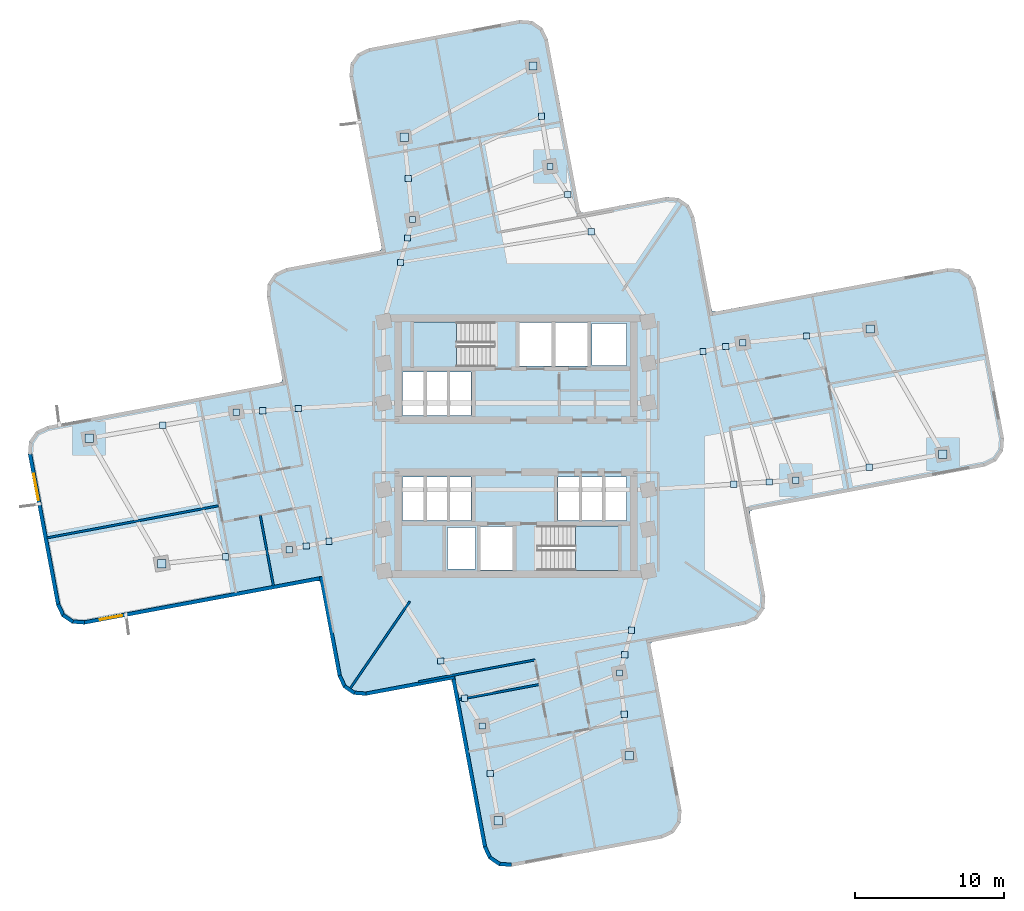
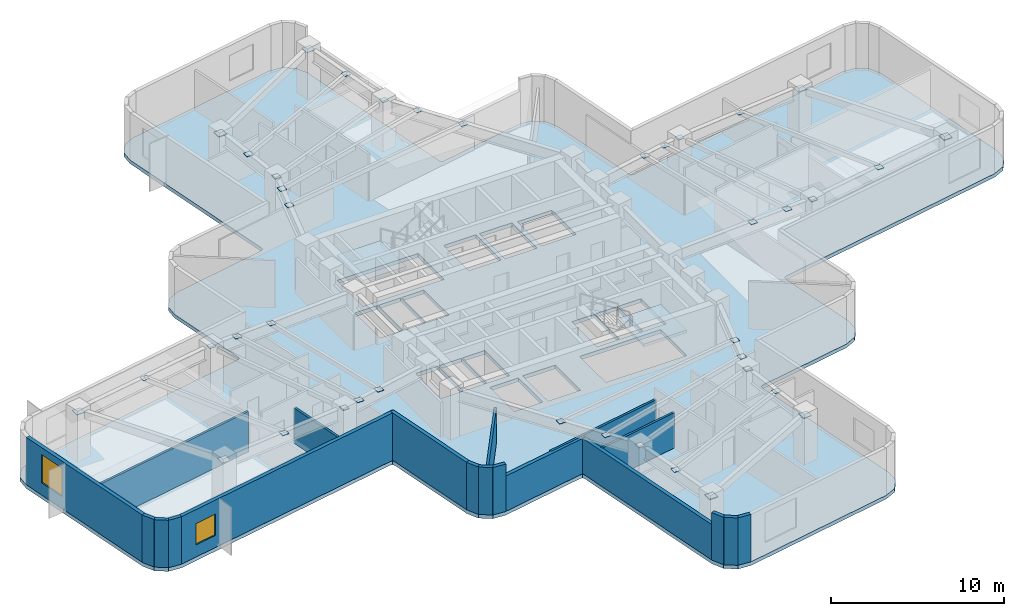
# One storey, part 2 of 9: 40 plates, 19 walls, 3 slabs, 2 windows, 2 openings, 2 elements without a shape of their own.
"""IFC4 building model written with IfcOpenShell, lengths in metres."""

import ifcopenshell
import ifcopenshell.guid

model = None  # the IFC model being written
_history = None  # IfcOwnerHistory: only IFC2X3 demands one
_inside = {}  # id of a spatial element -> (the spatial element, [elements in it])
_under = {}  # id of a project, library or spatial element -> (it, [spatial elements below it])
_declared = {}  # id of a project -> (the project, [libraries it declares])
_typed = {}  # id of a type object -> (the type object, [elements of that type])
_made_of = {}  # id of a material, layer set ... -> (it, [elements and type objects made of it])


def new_model(schema):
    """Start an empty IFC model of exactly this schema.

    Asked for "IFC4X3", IfcOpenShell would pick the latest addendum, in which some entities
    have other attributes; the version numbers below select the first issue.
    IFC2X3 requires an IfcOwnerHistory on every rooted entity: one is made here for all.
    """
    global model, _history
    if schema == "IFC4X3":
        model = ifcopenshell.file(schema_version=(4, 3, 0, 0))
    else:
        model = ifcopenshell.file(schema=schema)
    _inside.clear()
    _under.clear()
    _declared.clear()
    _typed.clear()
    _made_of.clear()
    _history = None
    if model.schema == "IFC2X3":
        org = make("IfcOrganization", Name="unknown")
        user = make(
            "IfcPersonAndOrganization",
            ThePerson=make("IfcPerson", FamilyName="unknown"),
            TheOrganization=org,
        )
        app = make(
            "IfcApplication",
            ApplicationDeveloper=org,
            Version="unknown",
            ApplicationFullName="unknown",
            ApplicationIdentifier="unknown",
        )
        _history = make(
            "IfcOwnerHistory",
            OwningUser=user,
            OwningApplication=app,
            ChangeAction="ADDED",
            CreationDate=0,
        )
    return model


def make(cls, **values):
    """One entity of the class cls with the attributes given. An attribute that is None is left unset."""
    return model.create_entity(
        cls, **{name: value for name, value in values.items() if value is not None}
    )


def rooted(cls, **values):
    """An entity with a GlobalId (a new one), such as an element, a storey or a relation."""
    return make(cls, GlobalId=ifcopenshell.guid.new(), OwnerHistory=_history, **values)


def si_unit(unit_type, name, prefix=None):
    """IfcSIUnit, for example si_unit("LENGTHUNIT", "METRE", prefix="MILLI")."""
    return make("IfcSIUnit", UnitType=unit_type, Prefix=prefix, Name=name)


def assignment(units):
    """IfcUnitAssignment: the units of a project."""
    return None if units is None else make("IfcUnitAssignment", Units=units)


def point(xyz):
    """IfcCartesianPoint."""
    return None if xyz is None else make("IfcCartesianPoint", Coordinates=xyz)


def direction(xyz):
    """IfcDirection."""
    return None if xyz is None else make("IfcDirection", DirectionRatios=xyz)


def frame(location, z_axis=None, x_axis=None):
    """IfcAxis2Placement3D, a coordinate frame: its origin and axes. An axis left out is left unset."""
    return make(
        "IfcAxis2Placement3D",
        Location=point(location),
        Axis=direction(z_axis),
        RefDirection=direction(x_axis),
    )


def frame_2d(location, x_axis=None):
    """IfcAxis2Placement2D, a coordinate frame in the plane: its origin and x axis."""
    return make(
        "IfcAxis2Placement2D", Location=point(location), RefDirection=direction(x_axis)
    )


def origin():
    """The frame at (0, 0, 0) with its axes left unset."""
    return frame((0.0, 0.0, 0.0))


def origin_2d():
    """The frame at (0, 0) in the plane with its x axis left unset."""
    return frame_2d((0.0, 0.0))


def place(relative_to, where):
    """IfcLocalPlacement: puts the frame where relative to a parent placement (None: the world)."""
    return make(
        "IfcLocalPlacement", PlacementRelTo=relative_to, RelativePlacement=where
    )


def context(
    kind, dimensions, precision=None, world=None, true_north=None, identifier=None
):
    """IfcGeometricRepresentationContext, for example the 3D "Model" context."""
    return make(
        "IfcGeometricRepresentationContext",
        ContextIdentifier=identifier,
        ContextType=kind,
        CoordinateSpaceDimension=dimensions,
        Precision=precision,
        WorldCoordinateSystem=world,
        TrueNorth=true_north,
    )


def subcontext(parent, identifier, kind, view, scale=None):
    """IfcGeometricRepresentationSubContext, for example "Body" below "Model"."""
    return make(
        "IfcGeometricRepresentationSubContext",
        ContextIdentifier=identifier,
        ContextType=kind,
        ParentContext=parent,
        TargetScale=scale,
        TargetView=view,
    )


def project(units=None, contexts=None):
    """IfcProject with its units and contexts."""
    return rooted(
        "IfcProject",
        Name="project",
        RepresentationContexts=contexts,
        UnitsInContext=assignment(units),
    )


def spatial(cls, under=None, at=None, **own):
    """A site, building, storey or space (cls), placed at a placement, below another one or the project."""
    s = rooted(cls, ObjectPlacement=at, **own)
    if under is not None:
        _under.setdefault(under.id(), (under, []))[1].append(s)
    return s


def polyline(points):
    """IfcPolyline through the points."""
    return make("IfcPolyline", Points=[point(p) for p in points])


def profile(cls, at=None, kind="AREA", **sizes):
    """A parametric profile (cls). Its sizes go by their IFC names, for example OverallWidth=200.0."""
    return make(cls, ProfileType=kind, Position=at, **sizes)


def rectangle(**sizes):
    """IfcRectangleProfileDef."""
    return profile("IfcRectangleProfileDef", **sizes)


def outline(outer, holes=None, kind="AREA"):
    """IfcArbitraryClosedProfileDef: a profile drawn as a closed curve; with holes, ...WithVoids."""
    if holes is None:
        return make("IfcArbitraryClosedProfileDef", ProfileType=kind, OuterCurve=outer)
    return make(
        "IfcArbitraryProfileDefWithVoids",
        ProfileType=kind,
        OuterCurve=outer,
        InnerCurves=holes,
    )


def extrude(swept, where, along, depth):
    """IfcExtrudedAreaSolid: the profile swept, set in the frame where, extruded along a direction by depth."""
    return make(
        "IfcExtrudedAreaSolid",
        SweptArea=swept,
        Position=where,
        ExtrudedDirection=direction(along),
        Depth=depth,
    )


def shape(context_of_items, identifier, shape_type, items):
    """IfcShapeRepresentation: the items that make up one representation, for example the "Body"."""
    return make(
        "IfcShapeRepresentation",
        ContextOfItems=context_of_items,
        RepresentationIdentifier=identifier,
        RepresentationType=shape_type,
        Items=items,
    )


def material(Name=None, Category=None):
    """IfcMaterial."""
    return make("IfcMaterial", Name=Name, Category=Category)


def layer(
    of_material, thickness, ventilated=None, Name=None, Category=None, Priority=None
):
    """IfcMaterialLayer: one layer of a wall or slab, of a material (None: an air gap)."""
    return make(
        "IfcMaterialLayer",
        Material=of_material,
        LayerThickness=thickness,
        IsVentilated=ventilated,
        Name=Name,
        Category=Category,
        Priority=Priority,
    )


def layer_set(layers, Name=None):
    """IfcMaterialLayerSet."""
    return make("IfcMaterialLayerSet", MaterialLayers=layers, LayerSetName=Name)


def made_of(thing, what):
    """Note that an element or type object is made of a material, layer set ...; save() writes the relation."""
    if what is not None:
        _made_of.setdefault(what.id(), (what, []))[1].append(thing)
    return thing


def type_object(cls, material=None, **own):
    """A type object (cls), such as IfcWallType, which elements share."""
    return made_of(rooted(cls, **own), material)


def element(
    cls,
    number,
    at=None,
    inside=None,
    cuts=None,
    type_object=None,
    material=None,
    context=None,
    identifier="Body",
    shape_type=None,
    held_by="IfcProductDefinitionShape",
    body=None,
    shapes=None,
    **own,
):
    """One element of the class cls, such as IfcWall. Its Tag is "e" and its number.

    at: its placement. inside: the storey or other place that contains it. cuts: it is an
    opening in that element (IfcRelVoidsElement). A single representation is given by context,
    identifier, shape_type and body (its items); several are given by shapes. held_by: the class
    of the entity that holds the representations. save() writes the other relations.
    """
    e = rooted(cls, Tag="e%d" % number, ObjectPlacement=at, **own)
    if body is not None:
        shapes = [shape(context, identifier, shape_type, body)]
    if shapes is not None:
        e.Representation = make(held_by, Representations=shapes)
    if inside is not None:
        _inside.setdefault(inside.id(), (inside, []))[1].append(e)
    if cuts is not None:
        rooted(
            "IfcRelVoidsElement", RelatingBuildingElement=cuts, RelatedOpeningElement=e
        )
    if type_object is not None:
        _typed.setdefault(type_object.id(), (type_object, []))[1].append(e)
    return made_of(e, material)


def fill(opening, filler):
    """IfcRelFillsElement: the door or window that sits in an opening."""
    return rooted(
        "IfcRelFillsElement",
        RelatingOpeningElement=opening,
        RelatedBuildingElement=filler,
    )


def aggregate(whole, parts):
    """IfcRelAggregates: a whole, such as a stair, and the parts it consists of."""
    return rooted("IfcRelAggregates", RelatingObject=whole, RelatedObjects=parts)


def save(model, path):
    """Write the relations noted so far, then the file.

    IfcRelAggregates (storeys below a building ...), IfcRelContainedInSpatialStructure (elements
    in a storey), IfcRelDefinesByType, IfcRelAssociatesMaterial and IfcRelDeclares: one each for
    every whole, place, type object, material and project.
    """
    for whole, parts in _under.values():
        aggregate(whole, parts)
    for where, things in _inside.values():
        rooted(
            "IfcRelContainedInSpatialStructure",
            RelatedElements=things,
            RelatingStructure=where,
        )
    for kind, things in _typed.values():
        rooted("IfcRelDefinesByType", RelatedObjects=things, RelatingType=kind)
    for what, things in _made_of.values():
        rooted("IfcRelAssociatesMaterial", RelatedObjects=things, RelatingMaterial=what)
    for by, libraries in _declared.values():
        rooted("IfcRelDeclares", RelatingContext=by, RelatedDefinitions=libraries)
    model.write(path)


model = new_model("IFC4")

# Units and contexts
model_context = context("Model", 3, precision=1e-05, world=origin(), true_north=direction((0.0, 1.0)))
body_context = subcontext(model_context, "Body", "Model", "MODEL_VIEW")
ifc_project = project(units=[si_unit("LENGTHUNIT", "METRE"), si_unit("AREAUNIT", "SQUARE_METRE"), si_unit("VOLUMEUNIT", "CUBIC_METRE"), si_unit("PLANEANGLEUNIT", "RADIAN"), si_unit("MASSUNIT", "GRAM", prefix="KILO")], contexts=[model_context])

# Site, building, storey
site_placement = place(None, origin())
site = spatial("IfcSite", under=ifc_project, at=site_placement, CompositionType="ELEMENT")
building_placement = place(site_placement, origin())
building = spatial("IfcBuilding", under=site, at=building_placement, Name="Solmarez Civic Tower", CompositionType="ELEMENT")
storey_placement = place(building_placement, frame((0.0, 0.0, 100.080078125)))
storey = spatial("IfcBuildingStorey", under=building, at=storey_placement, Name="L26", CompositionType="ELEMENT", Elevation=100.080078125)

# Plates
ifc_material_1 = material(Name="Steel S355", Category="steel")
ifc_layer_1 = layer(ifc_material_1, 0.02392578125)
ifc_layer_set_1 = layer_set([ifc_layer_1], Name="Steel S355")
plate_type_1 = type_object("IfcPlateType", Name="PLT-CAP-380", PredefinedType="USERDEFINED", material=ifc_layer_set_1)
for number, where, z_axis, x_axis, name in (
    (1, (18.72412109375, -2.27099609375, 3.177978515625), (0.0, 0.0, 1.0), (1.0, 0.0, 0.0), "Steel Member End Cap Plate CAP-BM-L26-EA-T1-0"),
    (2, (15.175048828125, 6.927001953125, 3.177978515625), (0.0, 0.0, 1.0), (1.0, 0.0, 0.0), "Steel Member End Cap Plate CAP-BM-L26-EA-T1-1"),
    (3, (23.64990234375, -1.402099609375, 3.177978515625), (0.0, 0.0, 1.0), (1.0, 0.0, 0.0), "Steel Member End Cap Plate CAP-JS-L26-EA-M2-0"),
    (4, (19.445068359375, 7.388916015625, 3.177978515625), (0.0, 0.0, 1.0), (1.0, 0.0, 0.0), "Steel Member End Cap Plate CAP-JS-L26-EA-M2-1"),
    (5, (14.576904296875, -2.534912109375, 3.177978515625), (0.0, 0.0, 1.0), (1.0, 0.0, 0.0), "Steel Member End Cap Plate CAP-JS-L26-EA-M11-0"),
    (6, (12.51806640625, 6.34912109375, 3.177978515625), (0.0, 0.0, 1.0), (1.0, 0.0, 0.0), "Steel Member End Cap Plate CAP-JS-L26-EA-M11-1"),
    (7, (16.947021484375, -2.384033203125, 3.177978515625), (0.0, 0.0, 1.0), (1.0, 0.0, 0.0), "Steel Member End Cap Plate CAP-JS-L26-EA-M12-0"),
    (8, (14.037109375, 6.678955078125, 3.177978515625), (0.0, 0.0, 1.0), (1.0, 0.0, 0.0), "Steel Member End Cap Plate CAP-JS-L26-EA-M12-1"),
    (9, (2.27099609375, 18.72412109375, 3.177978515625), (0.0, 0.0, 1.0), (1.0, 0.0, 0.0), "Steel Member End Cap Plate CAP-BM-L26-NA-T1-0"),
    (10, (-6.927001953125, 15.175048828125, 3.177978515625), (0.0, 0.0, 1.0), (1.0, 0.0, 0.0), "Steel Member End Cap Plate CAP-BM-L26-NA-T1-1"),
    (11, (1.705078125, 22.090087890625, 3.177978515625), (0.0, 0.0, 1.0), (1.0, 0.0, 0.0), "Steel Member End Cap Plate CAP-JS-L26-NA-M2-0"),
    (12, (-7.2080078125, 17.927001953125, 3.177978515625), (0.0, 0.0, 1.0), (1.0, 0.0, 0.0), "Steel Member End Cap Plate CAP-JS-L26-NA-M2-1"),
    (13, (5.033935546875, 14.366943359375, 3.177978515625), (0.0, 0.0, 1.0), (1.0, 0.0, 0.0), "Steel Member End Cap Plate CAP-JS-L26-NA-M11-0"),
    (14, (-7.735107421875, 12.30908203125, 3.177978515625), (0.0, 0.0, 1.0), (1.0, 0.0, 0.0), "Steel Member End Cap Plate CAP-JS-L26-NA-M11-1"),
    (15, (3.455078125, 16.85693359375, 3.177978515625), (0.0, 0.0, 1.0), (1.0, 0.0, 0.0), "Steel Member End Cap Plate CAP-JS-L26-NA-M12-0"),
    (16, (-7.27294921875, 13.947021484375, 3.177978515625), (0.0, 0.0, 1.0), (1.0, 0.0, 0.0), "Steel Member End Cap Plate CAP-JS-L26-NA-M12-1"),
    (17, (-18.72412109375, 2.27099609375, 3.177978515625), (0.0, 0.0, 1.0), (1.0, 0.0, 0.0), "Steel Member End Cap Plate CAP-BM-L26-WA-T1-0"),
    (18, (-15.175048828125, -6.927001953125, 3.177978515625), (0.0, 0.0, 1.0), (1.0, 0.0, 0.0), "Steel Member End Cap Plate CAP-BM-L26-WA-T1-1"),
    (19, (-23.64990234375, 1.402099609375, 3.177978515625), (0.0, 0.0, 1.0), (1.0, 0.0, 0.0), "Steel Member End Cap Plate CAP-JS-L26-WA-M2-0"),
    (20, (-19.445068359375, -7.388916015625, 3.177978515625), (0.0, 0.0, 1.0), (1.0, 0.0, 0.0), "Steel Member End Cap Plate CAP-JS-L26-WA-M2-1"),
    (21, (-14.576904296875, 2.534912109375, 3.177978515625), (0.0, 0.0, 1.0), (1.0, 0.0, 0.0), "Steel Member End Cap Plate CAP-JS-L26-WA-M11-0"),
    (22, (-12.51806640625, -6.34912109375, 3.177978515625), (0.0, 0.0, 1.0), (1.0, 0.0, 0.0), "Steel Member End Cap Plate CAP-JS-L26-WA-M11-1"),
    (23, (-16.947021484375, 2.384033203125, 3.177978515625), (0.0, 0.0, 1.0), (1.0, 0.0, 0.0), "Steel Member End Cap Plate CAP-JS-L26-WA-M12-0"),
    (24, (-14.037109375, -6.678955078125, 3.177978515625), (0.0, 0.0, 1.0), (1.0, 0.0, 0.0), "Steel Member End Cap Plate CAP-JS-L26-WA-M12-1"),
    (25, (-2.27099609375, -18.72412109375, 3.177978515625), (0.0, 0.0, 1.0), (1.0, 0.0, 0.0), "Steel Member End Cap Plate CAP-BM-L26-SA-T1-0"),
    (26, (6.927001953125, -15.175048828125, 3.177978515625), (0.0, 0.0, 1.0), (1.0, 0.0, 0.0), "Steel Member End Cap Plate CAP-BM-L26-SA-T1-1"),
    (27, (-1.73291015625, -21.89892578125, 3.177978515625), (0.0, 0.0, 1.0), (1.0, 0.0, 0.0), "Steel Member End Cap Plate CAP-JS-L26-SA-M2-0"),
    (28, (7.25, -17.944091796875, 3.177978515625), (0.0, 0.0, 1.0), (1.0, 0.0, 0.0), "Steel Member End Cap Plate CAP-JS-L26-SA-M2-1"),
    (29, (-5.033935546875, -14.366943359375, 3.177978515625), (0.0, 0.0, 1.0), (1.0, 0.0, 0.0), "Steel Member End Cap Plate CAP-JS-L26-SA-M11-0"),
    (30, (7.735107421875, -12.30908203125, 3.177978515625), (0.0, 0.0, 1.0), (1.0, 0.0, 0.0), "Steel Member End Cap Plate CAP-JS-L26-SA-M11-1"),
    (31, (-3.455078125, -16.85693359375, 3.177978515625), (0.0, 0.0, 1.0), (1.0, 0.0, 0.0), "Steel Member End Cap Plate CAP-JS-L26-SA-M12-0"),
    (32, (7.27294921875, -13.947021484375, 3.177978515625), (0.0, 0.0, 1.0), (1.0, 0.0, 0.0), "Steel Member End Cap Plate CAP-JS-L26-SA-M12-1"),
):
    element("IfcPlate", number, at=place(storey_placement, frame(where, z_axis=z_axis, x_axis=x_axis)), inside=storey, type_object=plate_type_1, Name=name, ObjectType="CAP_PLATE", PredefinedType="USERDEFINED", context=body_context, shape_type="SweptSolid", body=[
        extrude(rectangle(XDim=0.419921875, YDim=0.419921875, at=origin_2d()), origin(), (0.0, 0.0, 1.0), 0.02392578125),
    ])
ifc_layer_2 = layer(ifc_material_1, 0.028076171875)
ifc_layer_set_2 = layer_set([ifc_layer_2], Name="Steel S355")
plate_type_2 = type_object("IfcPlateType", Name="PLT-CAP-540", PredefinedType="USERDEFINED", material=ifc_layer_set_2)
for number, where, z_axis, x_axis, name in (
    (33, (28.575927734375, -0.532958984375, 3.07568359375), (0.0, 0.0, 1.0), (1.0, 0.0, 0.0), "Steel Member End Cap Plate CAP-BM-L26-EA-T2-0"),
    (34, (23.715087890625, 7.85107421875, 3.07568359375), (0.0, 0.0, 1.0), (1.0, 0.0, 0.0), "Steel Member End Cap Plate CAP-BM-L26-EA-T2-1"),
    (35, (1.138916015625, 25.45703125, 3.07568359375), (0.0, 0.0, 1.0), (1.0, 0.0, 0.0), "Steel Member End Cap Plate CAP-BM-L26-NA-T2-0"),
    (36, (-7.489013671875, 20.678955078125, 3.07568359375), (0.0, 0.0, 1.0), (1.0, 0.0, 0.0), "Steel Member End Cap Plate CAP-BM-L26-NA-T2-1"),
    (37, (-28.575927734375, 0.532958984375, 3.07568359375), (0.0, 0.0, 1.0), (1.0, 0.0, 0.0), "Steel Member End Cap Plate CAP-BM-L26-WA-T2-0"),
    (38, (-23.715087890625, -7.85107421875, 3.07568359375), (0.0, 0.0, 1.0), (1.0, 0.0, 0.0), "Steel Member End Cap Plate CAP-BM-L26-WA-T2-1"),
    (39, (-1.195068359375, -25.073974609375, 3.07568359375), (0.0, 0.0, 1.0), (1.0, 0.0, 0.0), "Steel Member End Cap Plate CAP-BM-L26-SA-T2-0"),
    (40, (7.573974609375, -20.714111328125, 3.07568359375), (0.0, 0.0, 1.0), (1.0, 0.0, 0.0), "Steel Member End Cap Plate CAP-BM-L26-SA-T2-1"),
):
    element("IfcPlate", number, at=place(storey_placement, frame(where, z_axis=z_axis, x_axis=x_axis)), inside=storey, type_object=plate_type_2, Name=name, ObjectType="CAP_PLATE", PredefinedType="USERDEFINED", context=body_context, shape_type="SweptSolid", body=[
        extrude(rectangle(XDim=0.56005859375, YDim=0.56005859375, at=origin_2d()), origin(), (0.0, 0.0, 1.0), 0.028076171875),
    ])

# Stair, slab
ifc_material_2 = material(Name="Concrete C50/60", Category="concrete")
stair_type = type_object("IfcStairType", Name="STAIR-DOGLEG-140W-20R-1800", PredefinedType="HALF_TURN_STAIR", material=ifc_material_2)
stair_1_placement = place(storey_placement, origin())
stair_1 = element("IfcStair", 41, at=stair_1_placement, inside=storey, type_object=stair_type, Name="L26 North Core Protected Exit Stair ST-1", PredefinedType="HALF_TURN_STAIR")
ifc_layer_3 = layer(ifc_material_2, 0.199951171875)
ifc_layer_set_3 = layer_set([ifc_layer_3], Name="Concrete C50/60")
slab_type_1 = type_object("IfcSlabType", Name="SLAB-LANDING-200", PredefinedType="LANDING", material=ifc_layer_set_3)
slab_1_placement = place(storey_placement, frame((0.0, 0.0, 1.599853515625)))
slab_1 = element("IfcSlab", 42, at=slab_1_placement, type_object=slab_type_1, Name="ST-1 landing 1", PredefinedType="LANDING", context=body_context, shape_type="SweptSolid", body=[
    extrude(outline(polyline([(-3.969970703125, 8.320068359375), (-6.85009765625, 8.320068359375), (-6.85009765625, 5.320068359375), (-3.969970703125, 5.320068359375), (-3.969970703125, 8.320068359375)])), origin(), (0.0, 0.0, 1.0), 0.199951171875),
])
aggregate(stair_1, [slab_1])

stair_2_placement = place(storey_placement, origin())
stair_2 = element("IfcStair", 43, at=stair_2_placement, inside=storey, type_object=stair_type, Name="L26 South Core Protected Exit Stair ST-2", PredefinedType="HALF_TURN_STAIR")
slab_2_placement = place(storey_placement, frame((0.0, 0.0, 1.599853515625)))
slab_2 = element("IfcSlab", 44, at=slab_2_placement, type_object=slab_type_1, Name="ST-2 landing 1", PredefinedType="LANDING", context=body_context, shape_type="SweptSolid", body=[
    extrude(outline(polyline([(3.969970703125, -8.320068359375), (6.85009765625, -8.320068359375), (6.85009765625, -5.320068359375), (3.969970703125, -5.320068359375), (3.969970703125, -8.320068359375)])), origin(), (0.0, 0.0, 1.0), 0.199951171875),
])
aggregate(stair_2, [slab_2])

# Slab
ifc_layer_4 = layer(ifc_material_2, 0.260009765625)
ifc_layer_set_4 = layer_set([ifc_layer_4], Name="Concrete C50/60")
slab_type_2 = type_object("IfcSlabType", Name="SLAB-TOWER-260", PredefinedType="FLOOR", material=ifc_layer_set_4)
slab_3_placement = place(storey_placement, frame((0.0, 0.0, -0.260009765625)))
element("IfcSlab", 45, at=slab_3_placement, inside=storey, type_object=slab_type_2, Name="L26 Structural Slab", PredefinedType="FLOOR", context=body_context, shape_type="SweptSolid", body=[
    extrude(outline(polyline([(-13.0859375, -9.174072265625), (-11.919921875, -15.406005859375), (-11.56201171875, -16.152099609375), (-10.8779296875, -16.6201171875), (-10.052978515625, -16.68408203125), (-4.509033203125, -15.64697265625), (-4.337890625, -15.659912109375), (-4.263916015625, -15.81494140625), (-2.196044921875, -26.862060546875), (-1.837890625, -27.60888671875), (-1.155029296875, -28.076904296875), (-0.3291015625, -28.14111328125), (9.794921875, -26.24609375), (10.5419921875, -25.887939453125), (11.010009765625, -25.205078125), (11.073974609375, -24.37890625), (9.006103515625, -13.3310546875), (9.01904296875, -13.159912109375), (9.174072265625, -13.0859375), (15.406005859375, -11.919921875), (16.152099609375, -11.56201171875), (16.6201171875, -10.8779296875), (16.68408203125, -10.052978515625), (15.64697265625, -4.509033203125), (15.659912109375, -4.337890625), (15.81494140625, -4.263916015625), (31.384033203125, -1.35009765625), (32.131103515625, -0.991943359375), (32.59912109375, -0.30908203125), (32.662109375, 0.51708984375), (30.76806640625, 10.64111328125), (30.409912109375, 11.387939453125), (29.72607421875, 11.85595703125), (28.90087890625, 11.919921875), (13.3310546875, 9.006103515625), (13.159912109375, 9.01904296875), (13.0859375, 9.174072265625), (11.919921875, 15.406005859375), (11.56201171875, 16.152099609375), (10.8779296875, 16.6201171875), (10.052978515625, 16.68408203125), (4.509033203125, 15.64697265625), (4.337890625, 15.659912109375), (4.263916015625, 15.81494140625), (2.123046875, 27.256103515625), (1.764892578125, 28.001953125), (1.0810546875, 28.469970703125), (0.256103515625, 28.533935546875), (-9.868896484375, 26.638916015625), (-10.615966796875, 26.281005859375), (-11.083984375, 25.597900390625), (-11.14697265625, 24.77197265625), (-9.006103515625, 13.3310546875), (-9.01904296875, 13.159912109375), (-9.174072265625, 13.0859375), (-15.406005859375, 11.919921875), (-16.152099609375, 11.56201171875), (-16.6201171875, 10.8779296875), (-16.68408203125, 10.052978515625), (-15.64697265625, 4.509033203125), (-15.659912109375, 4.337890625), (-15.81494140625, 4.263916015625), (-31.384033203125, 1.35009765625), (-32.131103515625, 0.991943359375), (-32.59912109375, 0.30908203125), (-32.662109375, -0.51708984375), (-30.76806640625, -10.64111328125), (-30.409912109375, -11.387939453125), (-29.72607421875, -11.85595703125), (-28.90087890625, -11.919921875), (-13.3310546875, -9.006103515625), (-13.159912109375, -9.01904296875), (-13.0859375, -9.174072265625)]), holes=[polyline([(-1.449951171875, 8.320068359375), (-6.85009765625, 8.320068359375), (-6.85009765625, 5.320068359375), (-1.449951171875, 5.320068359375), (-1.449951171875, 8.320068359375)]), polyline([(1.449951171875, -8.320068359375), (6.85009765625, -8.320068359375), (6.85009765625, -5.320068359375), (1.449951171875, -5.320068359375), (1.449951171875, -8.320068359375)]), polyline([(0.219970703125, 5.360107421875), (2.3798828125, 5.360107421875), (2.3798828125, 8.280029296875), (0.219970703125, 8.280029296875), (0.219970703125, 5.360107421875)]), polyline([(2.6201171875, 5.360107421875), (4.780029296875, 5.360107421875), (4.780029296875, 8.280029296875), (2.6201171875, 8.280029296875), (2.6201171875, 5.360107421875)]), polyline([(-2.3798828125, -8.280029296875), (-0.219970703125, -8.280029296875), (-0.219970703125, -5.360107421875), (-2.3798828125, -5.360107421875), (-2.3798828125, -8.280029296875)]), polyline([(2.800048828125, -4.9599609375), (4.280029296875, -4.9599609375), (4.280029296875, -2.06005859375), (2.800048828125, -2.06005859375), (2.800048828125, -4.9599609375)]), polyline([(4.360107421875, -4.9599609375), (5.840087890625, -4.9599609375), (5.840087890625, -2.06005859375), (4.360107421875, -2.06005859375), (4.360107421875, -4.9599609375)]), polyline([(5.919921875, -4.9599609375), (7.39990234375, -4.9599609375), (7.39990234375, -2.06005859375), (5.919921875, -2.06005859375), (5.919921875, -4.9599609375)]), polyline([(-7.60009765625, -4.9599609375), (-6.1201171875, -4.9599609375), (-6.1201171875, -2.06005859375), (-7.60009765625, -2.06005859375), (-7.60009765625, -4.9599609375)]), polyline([(-6.0400390625, -4.9599609375), (-4.56005859375, -4.9599609375), (-4.56005859375, -2.06005859375), (-6.0400390625, -2.06005859375), (-6.0400390625, -4.9599609375)]), polyline([(-4.47998046875, -4.9599609375), (-3.0, -4.9599609375), (-3.0, -2.06005859375), (-4.47998046875, -2.06005859375), (-4.47998046875, -4.9599609375)]), polyline([(-7.60009765625, 2.06005859375), (-6.1201171875, 2.06005859375), (-6.1201171875, 4.9599609375), (-7.60009765625, 4.9599609375), (-7.60009765625, 2.06005859375)]), polyline([(-6.0400390625, 2.06005859375), (-4.56005859375, 2.06005859375), (-4.56005859375, 4.9599609375), (-6.0400390625, 4.9599609375), (-6.0400390625, 2.06005859375)]), polyline([(-4.47998046875, 2.06005859375), (-3.0, 2.06005859375), (-3.0, 4.9599609375), (-4.47998046875, 4.9599609375), (-4.47998046875, 2.06005859375)]), polyline([(5.10009765625, 5.419921875), (7.39990234375, 5.419921875), (7.39990234375, 8.219970703125), (5.10009765625, 8.219970703125), (5.10009765625, 5.419921875)]), polyline([(-4.60009765625, -8.219970703125), (-2.699951171875, -8.219970703125), (-2.699951171875, -5.419921875), (-4.60009765625, -5.419921875), (-4.60009765625, -8.219970703125)])]), origin(), (0.0, 0.0, 1.0), 0.260009765625),
])

# Wall, opening, window
ifc_material_3 = material(Name="Precast concrete C40/50", Category="concrete")
ifc_layer_5 = layer(ifc_material_3, 0.239990234375)
ifc_layer_set_5 = layer_set([ifc_layer_5], Name="Precast concrete C40/50")
wall_type_1 = type_object("IfcWallType", Name="WALL-EXT-240", PredefinedType="SOLIDWALL", material=ifc_layer_set_5)
wall_1_placement = place(storey_placement, frame((-12.93505859375, -8.80908203125, 0.0), z_axis=(0.0, 0.0, 1.0), x_axis=(-0.982922588066, -0.184019525782, 0.0)))
wall_1 = element("IfcWall", 46, at=wall_1_placement, inside=storey, type_object=wall_type_1, Name="L26 Exterior Precast Wall 2", PredefinedType="SOLIDWALL", context=body_context, shape_type="SweptSolid", body=[
    extrude(rectangle(XDim=16.274658203125, YDim=0.239990234375, at=frame_2d((8.13720703125, 0.0))), origin(), (0.0, 0.0, 1.0), 3.33984375),
])
opening_1_placement = place(wall_1_placement, frame((13.675048828125, 0.0, 0.85009765625)))
opening_1 = element("IfcOpeningElement", 47, at=opening_1_placement, cuts=wall_1, Name="Opening W-14", PredefinedType="OPENING", context=body_context, shape_type="SweptSolid", body=[
    extrude(rectangle(XDim=1.5, YDim=1.5, at=frame_2d((0.75, 0.75))), frame((0.0, 0.1298828125, 0.0), z_axis=(0.0, -1.0, 0.0), x_axis=(1.0, 0.0, 0.0)), (0.0, 0.0, 1.0), 0.260009765625),
])
ifc_material_4 = material(Name="Solar Control Bronze-Tinted Insulating Glass", Category="glass")
window_type_1 = type_object("IfcWindowType", Name="WIN-1500X1500", PartitioningType="SINGLE_PANEL", PredefinedType="WINDOW", material=ifc_material_4)
window_1_placement = place(opening_1_placement, origin())
window_1 = element("IfcWindow", 48, at=window_1_placement, inside=storey, type_object=window_type_1, Name="L26 Exterior Facade Window 2", OverallHeight=1.5, OverallWidth=1.5, PartitioningType="SINGLE_PANEL", PredefinedType="WINDOW", context=body_context, shape_type="SweptSolid", body=[
    extrude(rectangle(XDim=1.5, YDim=1.5, at=frame_2d((0.75, 0.75))), frame((0.0, 0.030029296875, 0.0), z_axis=(0.0, -1.0, 0.0), x_axis=(1.0, 0.0, 0.0)), (0.0, 0.0, 1.0), 0.06005859375),
])
fill(opening_1, window_1)

# Walls
wall_2_placement = place(storey_placement, frame((-28.882080078125, -11.801025390625, 0.0), z_axis=(0.0, 0.0, 1.0), x_axis=(-0.997028485347, 0.077033754987, 0.0)))
element("IfcWall", 49, at=wall_2_placement, inside=storey, type_object=wall_type_1, Name="L26 Exterior Precast Wall 3", PredefinedType="SOLIDWALL", context=body_context, shape_type="SweptSolid", body=[
    extrude(rectangle(XDim=0.830322265625, YDim=0.239990234375, at=frame_2d((0.4150390625, 0.0))), origin(), (0.0, 0.0, 1.0), 3.33984375),
])
wall_3_placement = place(storey_placement, frame((-29.6640625, -11.7529296875, 0.0), z_axis=(0.0, 0.0, 1.0), x_axis=(-0.825160141847, 0.564898876177, 0.0)))
element("IfcWall", 50, at=wall_3_placement, inside=storey, type_object=wall_type_1, Name="L26 Exterior Precast Wall 4", PredefinedType="SOLIDWALL", context=body_context, shape_type="SweptSolid", body=[
    extrude(rectangle(XDim=0.814208984375, YDim=0.239990234375, at=frame_2d((0.4072265625, 0.0))), origin(), (0.0, 0.0, 1.0), 3.33984375),
])
wall_4_placement = place(storey_placement, frame((-30.303955078125, -11.330078125, 0.0), z_axis=(0.0, 0.0, 1.0), x_axis=(-0.433294434868, 0.901252424525, 0.0)))
element("IfcWall", 51, at=wall_4_placement, inside=storey, type_object=wall_type_1, Name="L26 Exterior Precast Wall 5", PredefinedType="SOLIDWALL", context=body_context, shape_type="SweptSolid", body=[
    extrude(rectangle(XDim=0.8310546875, YDim=0.239990234375, at=frame_2d((0.41552734375, 0.0))), origin(), (0.0, 0.0, 1.0), 3.33984375),
])

# Wall, opening, window
wall_5_placement = place(storey_placement, frame((-30.64794921875, -10.62890625, 0.0), z_axis=(0.0, 0.0, 1.0), x_axis=(-0.183929967783, 0.982939350597, 0.0)))
wall_5 = element("IfcWall", 52, at=wall_5_placement, inside=storey, type_object=wall_type_1, Name="L26 Exterior Precast Wall 6", PredefinedType="SOLIDWALL", context=body_context, shape_type="SweptSolid", body=[
    extrude(rectangle(XDim=10.31884765625, YDim=0.239990234375, at=frame_2d((5.159423828125, 0.0))), origin(), (0.0, 0.0, 1.0), 3.33984375),
])
opening_2_placement = place(wall_5_placement, frame((7.14892578125, 0.0, 0.85009765625)))
opening_2 = element("IfcOpeningElement", 53, at=opening_2_placement, cuts=wall_5, Name="Opening W-04", PredefinedType="OPENING", context=body_context, shape_type="SweptSolid", body=[
    extrude(rectangle(XDim=1.800048828125, YDim=2.0, at=frame_2d((0.89990234375, 1.0))), frame((0.0, 0.1298828125, 0.0), z_axis=(0.0, -1.0, 0.0), x_axis=(1.0, 0.0, 0.0)), (0.0, 0.0, 1.0), 0.260009765625),
])
window_type_2 = type_object("IfcWindowType", Name="WIN-1800X2000", PartitioningType="SINGLE_PANEL", PredefinedType="WINDOW", material=ifc_material_4)
window_2_placement = place(opening_2_placement, origin())
window_2 = element("IfcWindow", 54, at=window_2_placement, inside=storey, type_object=window_type_2, Name="L26 Exterior Facade Window 6", OverallHeight=2.0, OverallWidth=1.800048828125, PartitioningType="SINGLE_PANEL", PredefinedType="WINDOW", context=body_context, shape_type="SweptSolid", body=[
    extrude(rectangle(XDim=1.800048828125, YDim=2.0, at=frame_2d((0.89990234375, 1.0))), frame((0.0, 0.030029296875, 0.0), z_axis=(0.0, -1.0, 0.0), x_axis=(1.0, 0.0, 0.0)), (0.0, 0.0, 1.0), 0.06005859375),
])
fill(opening_2, window_2)

# Walls
wall_6_placement = place(storey_placement, frame((-0.31103515625, -28.02197265625, 0.0), z_axis=(0.0, 0.0, 1.0), x_axis=(-0.997028485347, 0.077033754987, 0.0)))
element("IfcWall", 55, at=wall_6_placement, inside=storey, type_object=wall_type_1, Name="L26 Exterior Precast Wall 61", PredefinedType="SOLIDWALL", context=body_context, shape_type="SweptSolid", body=[
    extrude(rectangle(XDim=0.830322265625, YDim=0.239990234375, at=frame_2d((0.4150390625, 0.0))), origin(), (0.0, 0.0, 1.0), 3.33984375),
])
wall_7_placement = place(storey_placement, frame((-1.093017578125, -27.97412109375, 0.0), z_axis=(0.0, 0.0, 1.0), x_axis=(-0.825020375165, 0.565102982263, 0.0)))
element("IfcWall", 56, at=wall_7_placement, inside=storey, type_object=wall_type_1, Name="L26 Exterior Precast Wall 62", PredefinedType="SOLIDWALL", context=body_context, shape_type="SweptSolid", body=[
    extrude(rectangle(XDim=0.814453125, YDim=0.239990234375, at=frame_2d((0.4072265625, 0.0))), origin(), (0.0, 0.0, 1.0), 3.33984375),
])
wall_8_placement = place(storey_placement, frame((-1.73291015625, -27.551025390625, 0.0), z_axis=(0.0, 0.0, 1.0), x_axis=(-0.432339276243, 0.901711012585, 0.0)))
element("IfcWall", 57, at=wall_8_placement, inside=storey, type_object=wall_type_1, Name="L26 Exterior Precast Wall 63", PredefinedType="SOLIDWALL", context=body_context, shape_type="SweptSolid", body=[
    extrude(rectangle(XDim=0.83056640625, YDim=0.239990234375, at=frame_2d((0.415283203125, 0.0))), origin(), (0.0, 0.0, 1.0), 3.33984375),
])
wall_9_placement = place(storey_placement, frame((-2.075927734375, -26.85009765625, 0.0), z_axis=(0.0, 0.0, 1.0), x_axis=(-0.18407390356, 0.982912406081, 0.0)))
element("IfcWall", 58, at=wall_9_placement, inside=storey, type_object=wall_type_1, Name="L26 Exterior Precast Wall 64", PredefinedType="SOLIDWALL", context=body_context, shape_type="SweptSolid", body=[
    extrude(rectangle(XDim=11.675537109375, YDim=0.239990234375, at=frame_2d((5.837890625, 0.0))), origin(), (0.0, 0.0, 1.0), 2.48583984375),
])
wall_10_placement = place(storey_placement, frame((-4.113037109375, -15.449951171875, 0.0), z_axis=(0.0, 0.0, 1.0), x_axis=(-0.982913564854, -0.18406771587, 0.0)))
element("IfcWall", 59, at=wall_10_placement, inside=storey, type_object=wall_type_1, Name="L26 Exterior Precast Wall 67", PredefinedType="SOLIDWALL", context=body_context, shape_type="SweptSolid", body=[
    extrude(rectangle(XDim=6.07470703125, YDim=0.239990234375, at=frame_2d((3.037353515625, 0.0))), origin(), (0.0, 0.0, 1.0), 2.48583984375),
])
wall_11_placement = place(storey_placement, frame((-10.033935546875, -16.56494140625, 0.0), z_axis=(0.0, 0.0, 1.0), x_axis=(-0.997030229365, 0.077011179273, 0.0)))
element("IfcWall", 60, at=wall_11_placement, inside=storey, type_object=wall_type_1, Name="L26 Exterior Precast Wall 68", PredefinedType="SOLIDWALL", context=body_context, shape_type="SweptSolid", body=[
    extrude(rectangle(XDim=0.83056640625, YDim=0.239990234375, at=frame_2d((0.415283203125, 0.0))), origin(), (0.0, 0.0, 1.0), 3.33984375),
])
wall_12_placement = place(storey_placement, frame((-10.81591796875, -16.51708984375, 0.0), z_axis=(0.0, 0.0, 1.0), x_axis=(-0.825814611055, 0.563941688624, 0.0)))
element("IfcWall", 61, at=wall_12_placement, inside=storey, type_object=wall_type_1, Name="L26 Exterior Precast Wall 69", PredefinedType="SOLIDWALL", context=body_context, shape_type="SweptSolid", body=[
    extrude(rectangle(XDim=0.81396484375, YDim=0.239990234375, at=frame_2d((0.406982421875, 0.0))), origin(), (0.0, 0.0, 1.0), 3.33984375),
])
wall_13_placement = place(storey_placement, frame((-11.4560546875, -16.094970703125, 0.0), z_axis=(0.0, 0.0, 1.0), x_axis=(-0.431642510533, 0.902044756706, 0.0)))
element("IfcWall", 62, at=wall_13_placement, inside=storey, type_object=wall_type_1, Name="L26 Exterior Precast Wall 70", PredefinedType="SOLIDWALL", context=body_context, shape_type="SweptSolid", body=[
    extrude(rectangle(XDim=0.83154296875, YDim=0.239990234375, at=frame_2d((0.415771484375, 0.0))), origin(), (0.0, 0.0, 1.0), 3.33984375),
])
wall_14_placement = place(storey_placement, frame((-11.799072265625, -15.39306640625, 0.0), z_axis=(0.0, 0.0, 1.0), x_axis=(-0.184184115697, 0.982891759821, 0.0)))
element("IfcWall", 63, at=wall_14_placement, inside=storey, type_object=wall_type_1, Name="L26 Exterior Precast Wall 71", PredefinedType="SOLIDWALL", context=body_context, shape_type="SweptSolid", body=[
    extrude(rectangle(XDim=6.776123046875, YDim=0.239990234375, at=frame_2d((3.38818359375, 0.0))), origin(), (0.0, 0.0, 1.0), 3.33984375),
])
ifc_material_5 = material(Name="Gypsum Board Acoustic Steel-Stud Partition", Category="steel")
ifc_layer_6 = layer(ifc_material_5, 0.14501953125)
ifc_layer_set_6 = layer_set([ifc_layer_6], Name="Gypsum Board Acoustic Steel-Stud Partition")
wall_type_2 = type_object("IfcWallType", Name="WALL-INT-PART-150", PredefinedType="PARTITIONING", material=ifc_layer_set_6)
wall_15_placement = place(storey_placement, frame((-7.10791015625, -10.3798828125, 0.0), z_axis=(0.0, 0.0, 1.0), x_axis=(-0.564900413187, -0.825159089619, 0.0)))
element("IfcWall", 64, at=wall_15_placement, inside=storey, type_object=wall_type_2, Name="L26 Interior Partition PT-L26-QDIV-3", PredefinedType="PARTITIONING", context=body_context, shape_type="SweptSolid", body=[
    extrude(rectangle(XDim=7.073974609375, YDim=0.14501953125, at=frame_2d((3.537109375, 0.0))), origin(), (0.0, 0.0, 1.0), 2.48583984375),
])
wall_16_placement = place(storey_placement, frame((-17.12109375, -4.6279296875, 0.0), z_axis=(0.0, 0.0, 1.0), x_axis=(0.183922768694, -0.98294069768, 0.0)))
element("IfcWall", 65, at=wall_16_placement, inside=storey, type_object=wall_type_2, Name="L26 Interior Partition PT-L26-W-LM", PredefinedType="PARTITIONING", context=body_context, shape_type="SweptSolid", body=[
    extrude(rectangle(XDim=4.7958984375, YDim=0.14501953125, at=frame_2d((2.39794921875, 0.0))), origin(), (0.0, 0.0, 1.0), 2.48583984375),
])
wall_17_placement = place(storey_placement, frame((-19.907958984375, -3.97998046875, 0.0), z_axis=(0.0, 0.0, 1.0), x_axis=(-0.982937353802, -0.183940638526, 0.0)))
element("IfcWall", 66, at=wall_17_placement, inside=storey, type_object=wall_type_2, Name="L26 Interior Partition PT-L26-W-TM", PredefinedType="PARTITIONING", context=body_context, shape_type="SweptSolid", body=[
    extrude(rectangle(XDim=11.694580078125, YDim=0.14501953125, at=frame_2d((5.84716796875, 0.0))), origin(), (0.0, 0.0, 1.0), 2.83203125),
])
wall_18_placement = place(storey_placement, frame((-6.531982421875, -15.760986328125, 0.0), z_axis=(0.0, 0.0, 1.0), x_axis=(0.98292290903, 0.184017811376, 0.0)))
element("IfcWall", 67, at=wall_18_placement, inside=storey, type_object=wall_type_2, Name="L26 Interior Partition PT-L26-S-EFR", PredefinedType="PARTITIONING", context=body_context, shape_type="SweptSolid", body=[
    extrude(rectangle(XDim=7.94970703125, YDim=0.14501953125, at=frame_2d((3.974853515625, 0.0))), origin(), (0.0, 0.0, 1.0), 2.48583984375),
])
wall_19_placement = place(storey_placement, frame((-3.842041015625, -16.9560546875, 0.0), z_axis=(0.0, 0.0, 1.0), x_axis=(0.982934991676, 0.183953260746, 0.0)))
element("IfcWall", 68, at=wall_19_placement, inside=storey, type_object=wall_type_2, Name="L26 Interior Partition PT-L26-S-RM", PredefinedType="PARTITIONING", context=body_context, shape_type="SweptSolid", body=[
    extrude(rectangle(XDim=5.495849609375, YDim=0.14501953125, at=frame_2d((2.748046875, 0.0))), origin(), (0.0, 0.0, 1.0), 2.48583984375),
])

save(model, "model.ifc")
